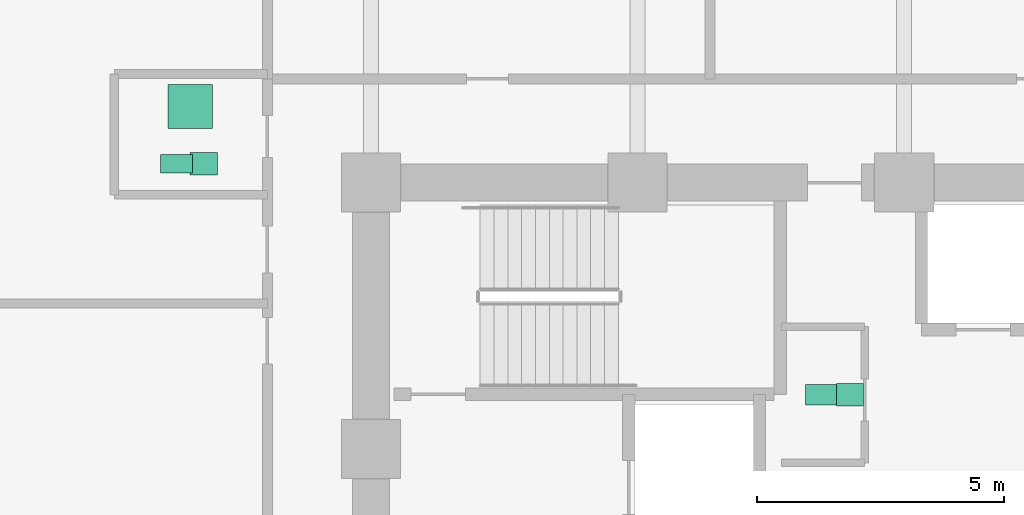
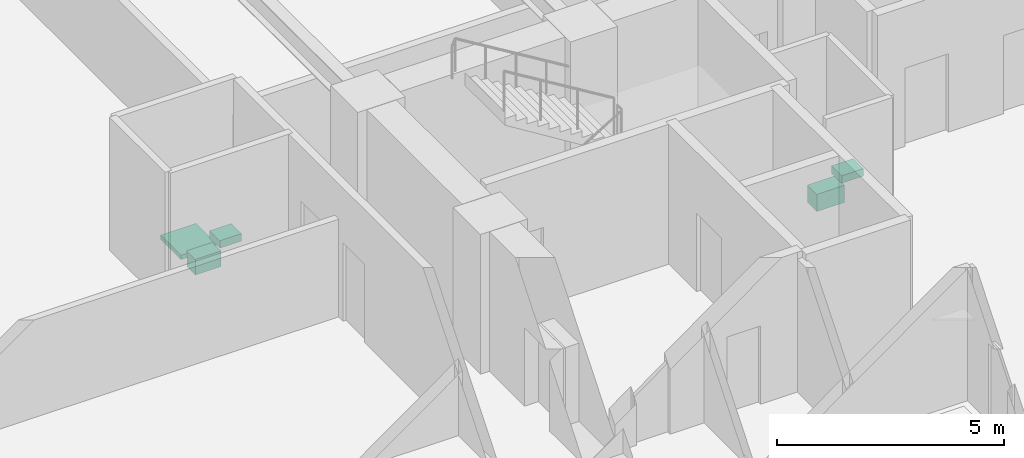
# One storey, part 26 of 26: 5 sanitary terminals.
"""IFC4 building model written with IfcOpenShell, lengths in metres."""

from ifc_helpers import new_model, si_unit, direction, frame, origin, origin_2d, place, context, subcontext, project, spatial, rectangle, extrude, material, type_object, element, save


model = new_model("IFC4")

# Units and contexts
model_context = context("Model", 3, precision=1e-05, world=origin(), true_north=direction((0.0, 1.0)))
body_context = subcontext(model_context, "Body", "Model", "MODEL_VIEW")
ifc_project = project(units=[si_unit("LENGTHUNIT", "METRE"), si_unit("AREAUNIT", "SQUARE_METRE"), si_unit("VOLUMEUNIT", "CUBIC_METRE"), si_unit("PLANEANGLEUNIT", "RADIAN"), si_unit("MASSUNIT", "GRAM", prefix="KILO")], contexts=[model_context])

# Site, building, storey
site_placement = place(None, origin())
site = spatial("IfcSite", under=ifc_project, at=site_placement, CompositionType="ELEMENT")
building_placement = place(site_placement, origin())
building = spatial("IfcBuilding", under=site, at=building_placement, Name="Surkhivell Harbour Commons", CompositionType="ELEMENT")
storey_placement = place(building_placement, frame((0.0, 0.0, 60.0)))
storey = spatial("IfcBuildingStorey", under=building, at=storey_placement, Name="L15", CompositionType="ELEMENT", Elevation=60.0)

# Sanitary terminals
ifc_material_1 = material(Name="Vitreous china washbasin", Category="other")
sanitary_terminal_type_1 = type_object("IfcSanitaryTerminalType", Name="SAN-BSN", PredefinedType="WASHHANDBASIN", material=ifc_material_1)
for number, where, z_axis, x_axis, name in (
    (1, (-1.10009765625, 6.5, 0.72021484375), (0.0, 0.0, 1.0), (1.0, 0.0, 0.0), "L15 Core Accessible WC Washbasin"),
    (2, (-14.18994140625, 11.179931640625, 0.72021484375), (0.0, 0.0, 1.0), (1.0, 0.0, 0.0), "L15 West Communal Bathroom WC Washbasin"),
):
    element("IfcSanitaryTerminal", number, at=place(storey_placement, frame(where, z_axis=z_axis, x_axis=x_axis)), inside=storey, type_object=sanitary_terminal_type_1, Name=name, PredefinedType="WASHHANDBASIN", context=body_context, shape_type="SweptSolid", body=[
        extrude(rectangle(XDim=0.550048828125, YDim=0.449951171875, at=origin_2d()), origin(), (0.0, 0.0, 1.0), 0.199951171875),
    ])
ifc_material_2 = material(Name="Glazed porcelain shower tray", Category="other")
sanitary_terminal_type_2 = type_object("IfcSanitaryTerminalType", Name="SAN-SHW", PredefinedType="SHOWER", material=ifc_material_2)
sanitary_terminal_1_placement = place(storey_placement, frame((-14.4599609375, 12.340087890625, 0.0), z_axis=(0.0, 0.0, 1.0), x_axis=(1.0, 0.0, 0.0)))
element("IfcSanitaryTerminal", 3, at=sanitary_terminal_1_placement, inside=storey, type_object=sanitary_terminal_type_2, Name="L15 West Communal Shower Tray", PredefinedType="SHOWER", context=body_context, shape_type="SweptSolid", body=[
    extrude(rectangle(XDim=0.89990234375, YDim=0.89990234375, at=origin_2d()), origin(), (0.0, 0.0, 1.0), 0.1201171875),
])
ifc_material_3 = material(Name="Vitreous china sanitaryware", Category="other")
sanitary_terminal_type_3 = type_object("IfcSanitaryTerminalType", Name="SAN-WC-ACC", PredefinedType="TOILETPAN", material=ifc_material_3)
sanitary_terminal_2_placement = place(storey_placement, frame((-1.64990234375, 6.5, 0.169921875), z_axis=(0.0, 0.0, 1.0), x_axis=(1.0, 0.0, 0.0)))
element("IfcSanitaryTerminal", 4, at=sanitary_terminal_2_placement, inside=storey, type_object=sanitary_terminal_type_3, Name="L15 Core Accessible WC", PredefinedType="TOILETPAN", context=body_context, shape_type="SweptSolid", body=[
    extrude(rectangle(XDim=0.699951171875, YDim=0.419921875, at=origin_2d()), origin(), (0.0, 0.0, 1.0), 0.4599609375),
])
sanitary_terminal_type_4 = type_object("IfcSanitaryTerminalType", Name="SAN-WC-STD", PredefinedType="TOILETPAN", material=ifc_material_3)
sanitary_terminal_3_placement = place(storey_placement, frame((-14.739990234375, 11.179931640625, 0.18994140625), z_axis=(0.0, 0.0, 1.0), x_axis=(1.0, 0.0, 0.0)))
element("IfcSanitaryTerminal", 5, at=sanitary_terminal_3_placement, inside=storey, type_object=sanitary_terminal_type_4, Name="L15 West Communal Bathroom WC", PredefinedType="TOILETPAN", context=body_context, shape_type="SweptSolid", body=[
    extrude(rectangle(XDim=0.64990234375, YDim=0.3798828125, at=origin_2d()), origin(), (0.0, 0.0, 1.0), 0.419921875),
])

save(model, "model.ifc")
